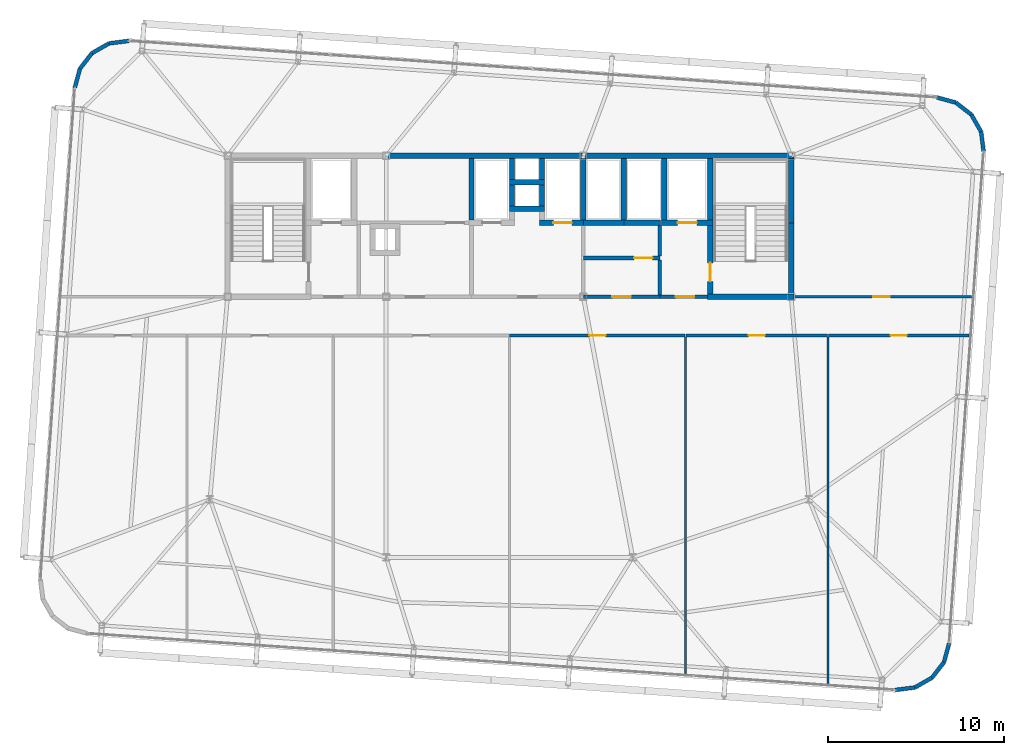
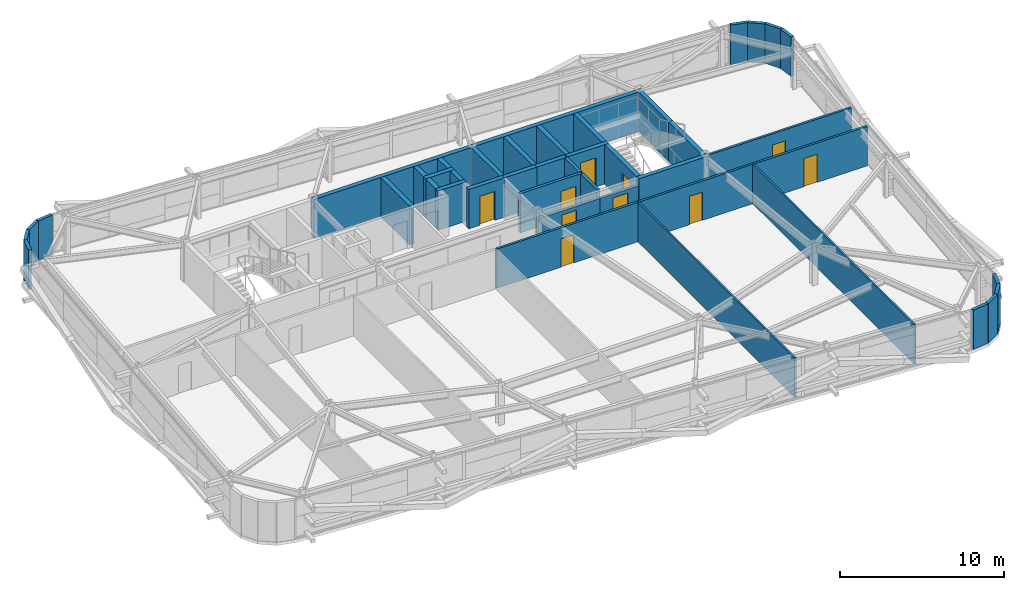
# One storey, part 36 of 39: 44 walls, 10 doors, 10 openings.
"""IFC4 building model written with IfcOpenShell, lengths in metres."""

from ifc_helpers import new_model, si_unit, direction, frame, frame_2d, origin, place, context, subcontext, project, spatial, rectangle, extrude, source, transform, mapped, material, layer, layer_set, type_object, element, fill, save


model = new_model("IFC4")

# Units and contexts
model_context = context("Model", 3, precision=1e-05, world=origin(), true_north=direction((0.0, 1.0)))
body_context = subcontext(model_context, "Body", "Model", "MODEL_VIEW")
ifc_project = project(units=[si_unit("LENGTHUNIT", "METRE"), si_unit("AREAUNIT", "SQUARE_METRE"), si_unit("VOLUMEUNIT", "CUBIC_METRE"), si_unit("PLANEANGLEUNIT", "RADIAN"), si_unit("MASSUNIT", "GRAM", prefix="KILO")], contexts=[model_context])

# Site, building, storey
site_placement = place(None, origin())
site = spatial("IfcSite", under=ifc_project, at=site_placement, CompositionType="ELEMENT")
building_placement = place(site_placement, origin())
building = spatial("IfcBuilding", under=site, at=building_placement, Name="Taldren Reach Tower", CompositionType="ELEMENT")
storey_placement = place(building_placement, frame((0.0, 0.0, 148.75)))
storey = spatial("IfcBuildingStorey", under=building, at=storey_placement, Name="L45", CompositionType="ELEMENT", Elevation=148.75)

# Walls
ifc_material_1 = material(Name="Pale Champagne Anodised Aluminium Cladding", Category="aluminium")
ifc_layer_1 = layer(ifc_material_1, 0.04, Name="Pale Champagne Anodised Aluminium Cladding", Category="aluminium")
ifc_material_2 = material(Name="Mineral Wool Acoustic Insulation", Category="insulation")
ifc_layer_2 = layer(ifc_material_2, 0.06, Name="Mineral Wool Acoustic Insulation", Category="insulation")
ifc_material_3 = material(Name="Steel Gr 350 (C350L0)", Category="steel")
ifc_layer_3 = layer(ifc_material_3, 0.12, Name="Steel Gr 350 (C350L0)", Category="steel")
ifc_layer_set_1 = layer_set([ifc_layer_1, ifc_layer_2, ifc_layer_3], Name="Pale Champagne Aluminium Cladding and Steel Gr 350 Stud Framing")
wall_type_1 = type_object("IfcWallType", Name="EW-CRN-220", PredefinedType="SOLIDWALL", material=ifc_layer_set_1)
shared_shape_1 = source(origin(), body_context, "Body", "SweptSolid", [
    extrude(rectangle(XDim=1.115966796875, YDim=0.219970703125, at=frame_2d((0.55810546875, 0.0))), origin(), (0.0, 0.0, 1.0), 2.929931640625),
])
for number, where, z_axis, x_axis, name in (
    (1, (58.02490234375, 1.8173828125, 0.0), (0.0, 0.0, 1.0), (0.868095010314, 0.496398079235, 0.0), "Rounded-corner pale-metal facade wall L45-SE2"),
    (2, (58.99365234375, 2.371337890625, 0.0), (0.0, 0.0, 1.0), (0.612318787668, 0.790610967714, 0.0), "Rounded-corner pale-metal facade wall L45-SE3"),
    (3, (59.677001953125, 3.253662109375, 0.0), (0.0, 0.0, 1.0), (0.262969307856, 0.964804199372, 0.0), "Rounded-corner pale-metal facade wall L45-SE4"),
    (4, (61.923583984375, 32.261962890625, 0.0), (0.0, 0.0, 1.0), (-0.126242535829, 0.991999406324, 0.0), "Rounded-corner pale-metal facade wall L45-NE1"),
    (5, (61.78271484375, 33.368896484375, 0.0), (0.0, 0.0, 1.0), (-0.496138938357, 0.868243142124, 0.0), "Rounded-corner pale-metal facade wall L45-NE2"),
    (6, (61.22900390625, 34.337890625, 0.0), (0.0, 0.0, 1.0), (-0.790716874741, 0.612182018684, 0.0), "Rounded-corner pale-metal facade wall L45-NE3"),
    (7, (60.3466796875, 35.02099609375, 0.0), (0.0, 0.0, 1.0), (-0.964804199372, 0.262969307856, 0.0), "Rounded-corner pale-metal facade wall L45-NE4"),
    (8, (13.382080078125, 38.5234375, 0.0), (0.0, 0.0, 1.0), (-0.991999406324, -0.126242535829, 0.0), "Rounded-corner pale-metal facade wall L45-NW1"),
    (9, (11.306396484375, 37.828857421875, 0.0), (0.0, 0.0, 1.0), (-0.612318787668, -0.790610967714, 0.0), "Rounded-corner pale-metal facade wall L45-NW3"),
    (10, (10.623046875, 36.946533203125, 0.0), (0.0, 0.0, 1.0), (-0.262969307856, -0.964804199372, 0.0), "Rounded-corner pale-metal facade wall L45-NW4"),
):
    element("IfcWall", number, at=place(storey_placement, frame(where, z_axis=z_axis, x_axis=x_axis)), inside=storey, type_object=wall_type_1, Name=name, PredefinedType="SOLIDWALL", context=body_context, shape_type="MappedRepresentation", body=[
        mapped(shared_shape_1, transform((0.0, 0.0, 0.0), scale=1.0)),
    ])
shared_shape_2 = source(origin(), body_context, "Body", "SweptSolid", [
    extrude(rectangle(XDim=1.11572265625, YDim=0.219970703125, at=frame_2d((0.557861328125, 0.0))), origin(), (0.0, 0.0, 1.0), 2.929931640625),
])
for number, where, z_axis, x_axis, name in (
    (11, (56.91796875, 1.6767578125, 0.0), (0.0, 0.0, 1.0), (0.99202678349, 0.126027222605, 0.0), "Rounded-corner pale-metal facade wall L45-SE1"),
    (12, (12.275146484375, 38.382568359375, 0.0), (0.0, 0.0, 1.0), (-0.868189279113, -0.496233186751, 0.0), "Rounded-corner pale-metal facade wall L45-NW2"),
):
    element("IfcWall", number, at=place(storey_placement, frame(where, z_axis=z_axis, x_axis=x_axis)), inside=storey, type_object=wall_type_1, Name=name, PredefinedType="SOLIDWALL", context=body_context, shape_type="MappedRepresentation", body=[
        mapped(shared_shape_2, transform((0.0, 0.0, 0.0), scale=1.0)),
    ])

# Wall, opening, door
ifc_material_4 = material(Name="Concrete S50 (50 MPa)", Category="concrete")
ifc_layer_4 = layer(ifc_material_4, 0.199951171875)
ifc_layer_set_2 = layer_set([ifc_layer_4], Name="Concrete S50 (50 MPa)")
wall_type_2 = type_object("IfcWallType", Name="IW-CORE-200", PredefinedType="SOLIDWALL", material=ifc_layer_set_2)
shared_shape_3 = source(origin(), body_context, "Body", "SweptSolid", [
    extrude(rectangle(XDim=4.35009765625, YDim=0.199951171875, at=frame_2d((2.175048828125, 0.0))), origin(), (0.0, 0.0, 1.0), 2.39697265625),
])
wall_1_placement = place(storey_placement, frame((43.550048828125, 24.0, 0.0), z_axis=(0.0, 0.0, 1.0), x_axis=(-1.0, 0.0, 0.0)))
wall_1 = element("IfcWall", 13, at=wall_1_placement, inside=storey, type_object=wall_type_2, Name="Rear Core Shear Wall W-INT-L45-042", PredefinedType="SOLIDWALL", context=body_context, shape_type="MappedRepresentation", body=[
    mapped(shared_shape_3, transform((0.0, 0.0, 0.0), scale=1.0)),
])
shared_shape_4 = source(origin(), body_context, "Body", "SweptSolid", [
    extrude(rectangle(XDim=1.050048828125, YDim=2.10009765625, at=frame_2d((0.52490234375, 1.050048828125))), frame((0.0, 0.10986328125, 0.0), z_axis=(0.0, -1.0, 0.0), x_axis=(1.0, 0.0, 0.0)), (0.0, 0.0, 1.0), 0.219970703125),
])
opening_1_placement = place(wall_1_placement, frame((1.64990234375, 0.0, 0.0)))
opening_1 = element("IfcOpeningElement", 14, at=opening_1_placement, cuts=wall_1, Name="Opening DF-105", PredefinedType="OPENING", context=body_context, shape_type="MappedRepresentation", body=[
    mapped(shared_shape_4, transform((0.0, 0.0, 0.0), scale=1.0)),
])
ifc_material_5 = material(Name="Fire-Rated Care and Stair Exit Door")
door_type_1 = type_object("IfcDoorType", Name="ID-FIRE-105", OperationType="NOTDEFINED", PredefinedType="DOOR", material=ifc_material_5)
shared_shape_5 = source(origin(), body_context, "Body", "SweptSolid", [
    extrude(rectangle(XDim=1.050048828125, YDim=2.10009765625, at=frame_2d((0.52490234375, 1.050048828125))), frame((0.0, 0.02490234375, 0.0), z_axis=(0.0, -1.0, 0.0), x_axis=(1.0, 0.0, 0.0)), (0.0, 0.0, 1.0), 0.050048828125),
])
door_1_placement = place(opening_1_placement, frame((1.050048828125, 0.0, 0.0), z_axis=(0.0, 0.0, 1.0), x_axis=(-1.0, 0.0, 0.0)))
door_1 = element("IfcDoor", 15, at=door_1_placement, inside=storey, type_object=door_type_1, Name="Interior Door DR-L45-009", OperationType="SINGLE_SWING_LEFT", OverallHeight=2.10009765625, OverallWidth=1.050048828125, PredefinedType="DOOR", context=body_context, shape_type="MappedRepresentation", body=[
    mapped(shared_shape_5, transform((0.0, 0.0, 0.0), scale=1.0)),
])
fill(opening_1, door_1)

# Walls
ifc_material_6 = material(Name="Concrete S65 (65 MPa)", Category="concrete")
ifc_layer_5 = layer(ifc_material_6, 0.300048828125)
ifc_layer_set_3 = layer_set([ifc_layer_5], Name="Concrete S65 (65 MPa)")
wall_type_3 = type_object("IfcWallType", Name="IW-CORE-300", PredefinedType="SHEAR", material=ifc_layer_set_3)
shared_shape_6 = source(origin(), body_context, "Body", "SweptSolid", [
    extrude(rectangle(XDim=11.199951171875, YDim=0.300048828125, at=frame_2d((5.60009765625, 0.0))), origin(), (0.0, 0.0, 1.0), 2.929931640625),
])
wall_2_placement = place(storey_placement, frame((28.0, 32.0, 0.0), z_axis=(0.0, 0.0, 1.0), x_axis=(1.0, 0.0, 0.0)))
element("IfcWall", 16, at=wall_2_placement, inside=storey, type_object=wall_type_3, Name="Rear Core Shear Wall W-CORE-L45-NORTH2", PredefinedType="SHEAR", context=body_context, shape_type="MappedRepresentation", body=[
    mapped(shared_shape_6, transform((0.0, 0.0, 0.0), scale=1.0)),
])
shared_shape_7 = source(origin(), body_context, "Body", "SweptSolid", [
    extrude(rectangle(XDim=11.949951171875, YDim=0.300048828125, at=frame_2d((5.97509765625, 0.0))), origin(), (0.0, 0.0, 1.0), 2.929931640625),
])
wall_3_placement = place(storey_placement, frame((39.199951171875, 32.0, 0.0), z_axis=(0.0, 0.0, 1.0), x_axis=(1.0, 0.0, 0.0)))
element("IfcWall", 17, at=wall_3_placement, inside=storey, type_object=wall_type_3, Name="Rear Core Shear Wall W-CORE-L45-NORTH3", PredefinedType="SHEAR", context=body_context, shape_type="MappedRepresentation", body=[
    mapped(shared_shape_7, transform((0.0, 0.0, 0.0), scale=1.0)),
])
shared_shape_8 = source(origin(), body_context, "Body", "SweptSolid", [
    extrude(rectangle(XDim=4.050048828125, YDim=0.300048828125, at=frame_2d((2.02490234375, 0.0))), origin(), (0.0, 0.0, 1.0), 2.929931640625),
])
wall_4_placement = place(storey_placement, frame((51.0, 24.14990234375, 0.0), z_axis=(0.0, 0.0, 1.0), x_axis=(0.0, 1.0, 0.0)))
element("IfcWall", 18, at=wall_4_placement, inside=storey, type_object=wall_type_3, Name="Rear Core Shear Wall W-CORE-L45-EAST1", PredefinedType="SHEAR", context=body_context, shape_type="MappedRepresentation", body=[
    mapped(shared_shape_8, transform((0.0, 0.0, 0.0), scale=1.0)),
])
shared_shape_9 = source(origin(), body_context, "Body", "SweptSolid", [
    extrude(rectangle(XDim=3.650146484375, YDim=0.300048828125, at=frame_2d((1.8251953125, 0.0))), origin(), (0.0, 0.0, 1.0), 2.929931640625),
])
wall_5_placement = place(storey_placement, frame((51.0, 28.199951171875, 0.0), z_axis=(0.0, 0.0, 1.0), x_axis=(0.0, 1.0, 0.0)))
element("IfcWall", 19, at=wall_5_placement, inside=storey, type_object=wall_type_3, Name="Rear Core Shear Wall W-CORE-L45-EAST2", PredefinedType="SHEAR", context=body_context, shape_type="MappedRepresentation", body=[
    mapped(shared_shape_9, transform((0.0, 0.0, 0.0), scale=1.0)),
])
shared_shape_10 = source(origin(), body_context, "Body", "SweptSolid", [
    extrude(rectangle(XDim=3.5, YDim=0.300048828125, at=frame_2d((1.75, 0.0))), origin(), (0.0, 0.0, 1.0), 2.929931640625),
])
for number, where, z_axis, x_axis, name in (
    (20, (46.39990234375, 31.85009765625, 0.0), (0.0, 0.0, 1.0), (0.0, -1.0, 0.0), "Rear Core Shear Wall W-INT-L45-008"),
    (21, (43.800048828125, 31.85009765625, 0.0), (0.0, 0.0, 1.0), (0.0, -1.0, 0.0), "Rear Core Shear Wall W-INT-L45-012"),
    (22, (32.85009765625, 31.85009765625, 0.0), (0.0, 0.0, 1.0), (0.0, -1.0, 0.0), "Rear Core Shear Wall W-INT-L45-028"),
    (23, (39.199951171875, 28.35009765625, 0.0), (0.0, 0.0, 1.0), (0.0, 1.0, 0.0), "Rear Core Shear Wall W-INT-L45-031"),
    (24, (41.5, 28.35009765625, 0.0), (0.0, 0.0, 1.0), (0.0, 1.0, 0.0), "Rear Core Shear Wall W-INT-L45-036"),
):
    element("IfcWall", number, at=place(storey_placement, frame(where, z_axis=z_axis, x_axis=x_axis)), inside=storey, type_object=wall_type_3, Name=name, PredefinedType="SHEAR", context=body_context, shape_type="MappedRepresentation", body=[
        mapped(shared_shape_10, transform((0.0, 0.0, 0.0), scale=1.0)),
    ])

# Wall, opening, door
shared_shape_11 = source(origin(), body_context, "Body", "SweptSolid", [
    extrude(rectangle(XDim=3.900146484375, YDim=0.300048828125, at=frame_2d((1.9501953125, 0.0))), origin(), (0.0, 0.0, 1.0), 2.929931640625),
])
wall_6_placement = place(storey_placement, frame((46.39990234375, 28.050048828125, 0.0), z_axis=(0.0, 0.0, 1.0), x_axis=(0.0, -1.0, 0.0)))
wall_6 = element("IfcWall", 25, at=wall_6_placement, inside=storey, type_object=wall_type_3, Name="Rear Core Shear Wall W-INT-L45-009", PredefinedType="SHEAR", context=body_context, shape_type="MappedRepresentation", body=[
    mapped(shared_shape_11, transform((0.0, 0.0, 0.0), scale=1.0)),
])
shared_shape_12 = source(origin(), body_context, "Body", "SweptSolid", [
    extrude(rectangle(XDim=1.050048828125, YDim=2.10009765625, at=frame_2d((0.52490234375, 1.050048828125))), frame((0.0, 0.16015625, 0.0), z_axis=(0.0, -1.0, 0.0), x_axis=(1.0, 0.0, 0.0)), (0.0, 0.0, 1.0), 0.320068359375),
])
opening_2_placement = place(wall_6_placement, frame((2.125, 0.0, 0.0)))
opening_2 = element("IfcOpeningElement", 26, at=opening_2_placement, cuts=wall_6, Name="Opening DF-105", PredefinedType="OPENING", context=body_context, shape_type="MappedRepresentation", body=[
    mapped(shared_shape_12, transform((0.0, 0.0, 0.0), scale=1.0)),
])
door_2_placement = place(opening_2_placement, origin())
door_2 = element("IfcDoor", 27, at=door_2_placement, inside=storey, type_object=door_type_1, Name="Fire Exit Stair Door DR-L45-003", OperationType="SINGLE_SWING_RIGHT", OverallHeight=2.10009765625, OverallWidth=1.050048828125, PredefinedType="DOOR", context=body_context, shape_type="MappedRepresentation", body=[
    mapped(shared_shape_5, transform((0.0, 0.0, 0.0), scale=1.0)),
])
fill(opening_2, door_2)

# Wall
shared_shape_13 = source(origin(), body_context, "Body", "SweptSolid", [
    extrude(rectangle(XDim=4.89990234375, YDim=0.300048828125, at=frame_2d((2.449951171875, 0.0))), origin(), (0.0, 0.0, 1.0), 2.929931640625),
])
wall_7_placement = place(storey_placement, frame((46.25, 24.0, 0.0), z_axis=(0.0, 0.0, 1.0), x_axis=(1.0, 0.0, 0.0)))
element("IfcWall", 28, at=wall_7_placement, inside=storey, type_object=wall_type_3, Name="Rear Core Shear Wall W-INT-L45-010", PredefinedType="SHEAR", context=body_context, shape_type="MappedRepresentation", body=[
    mapped(shared_shape_13, transform((0.0, 0.0, 0.0), scale=1.0)),
])

# Wall, opening, door
shared_shape_14 = source(origin(), body_context, "Body", "SweptSolid", [
    extrude(rectangle(XDim=2.900146484375, YDim=0.300048828125, at=frame_2d((1.4501953125, 0.0))), origin(), (0.0, 0.0, 1.0), 2.929931640625),
])
wall_8_placement = place(storey_placement, frame((43.64990234375, 28.199951171875, 0.0), z_axis=(0.0, 0.0, 1.0), x_axis=(1.0, 0.0, 0.0)))
wall_8 = element("IfcWall", 29, at=wall_8_placement, inside=storey, type_object=wall_type_3, Name="Rear Core Shear Wall W-INT-L45-011", PredefinedType="SHEAR", context=body_context, shape_type="MappedRepresentation", body=[
    mapped(shared_shape_14, transform((0.0, 0.0, 0.0), scale=1.0)),
])
shared_shape_15 = source(origin(), body_context, "Body", "SweptSolid", [
    extrude(rectangle(XDim=1.10009765625, YDim=2.14990234375, at=frame_2d((0.550048828125, 1.074951171875))), frame((0.0, 0.16015625, 0.0), z_axis=(0.0, -1.0, 0.0), x_axis=(1.0, 0.0, 0.0)), (0.0, 0.0, 1.0), 0.320068359375),
])
opening_3_placement = place(wall_8_placement, frame((0.89990234375, 0.0, 0.0)))
opening_3 = element("IfcOpeningElement", 30, at=opening_3_placement, cuts=wall_8, Name="Opening LD-FL2", PredefinedType="OPENING", context=body_context, shape_type="MappedRepresentation", body=[
    mapped(shared_shape_15, transform((0.0, 0.0, 0.0), scale=1.0)),
])
ifc_material_7 = material(Name="Stainless Steel Gr 316 Emergency Lift Landing Door", Category="steel")
door_type_2 = type_object("IfcDoorType", Name="LD-EMG-110", OperationType="SLIDING_TO_LEFT", PredefinedType="DOOR", material=ifc_material_7)
shared_shape_16 = source(origin(), body_context, "Body", "SweptSolid", [
    extrude(rectangle(XDim=1.10009765625, YDim=2.14990234375, at=frame_2d((0.550048828125, 1.074951171875))), frame((0.0, 0.02490234375, 0.0), z_axis=(0.0, -1.0, 0.0), x_axis=(1.0, 0.0, 0.0)), (0.0, 0.0, 1.0), 0.050048828125),
])
door_3_placement = place(opening_3_placement, origin())
door_3 = element("IfcDoor", 31, at=door_3_placement, inside=storey, type_object=door_type_2, Name="Lift Landing Door LD-FL2-L45", OperationType="SLIDING_TO_LEFT", OverallHeight=2.14990234375, OverallWidth=1.10009765625, PredefinedType="DOOR", context=body_context, shape_type="MappedRepresentation", body=[
    mapped(shared_shape_16, transform((0.0, 0.0, 0.0), scale=1.0)),
])
fill(opening_3, door_3)

shared_shape_17 = source(origin(), body_context, "Body", "SweptSolid", [
    extrude(rectangle(XDim=2.699951171875, YDim=0.199951171875, at=frame_2d((1.35009765625, 0.0))), origin(), (0.0, 0.0, 1.0), 2.39697265625),
])
wall_9_placement = place(storey_placement, frame((43.550048828125, 24.0, 0.0), z_axis=(0.0, 0.0, 1.0), x_axis=(1.0, 0.0, 0.0)))
wall_9 = element("IfcWall", 32, at=wall_9_placement, inside=storey, type_object=wall_type_2, Name="Rear Core Shear Wall W-INT-L45-015", PredefinedType="SOLIDWALL", context=body_context, shape_type="MappedRepresentation", body=[
    mapped(shared_shape_17, transform((0.0, 0.0, 0.0), scale=1.0)),
])
opening_4_placement = place(wall_9_placement, frame((0.89990234375, 0.0, 0.0)))
opening_4 = element("IfcOpeningElement", 33, at=opening_4_placement, cuts=wall_9, Name="Opening DF-105", PredefinedType="OPENING", context=body_context, shape_type="MappedRepresentation", body=[
    mapped(shared_shape_4, transform((0.0, 0.0, 0.0), scale=1.0)),
])
door_4_placement = place(opening_4_placement, origin())
door_4 = element("IfcDoor", 34, at=door_4_placement, inside=storey, type_object=door_type_1, Name="Interior Door DR-L45-004", OperationType="SINGLE_SWING_LEFT", OverallHeight=2.10009765625, OverallWidth=1.050048828125, PredefinedType="DOOR", context=body_context, shape_type="MappedRepresentation", body=[
    mapped(shared_shape_5, transform((0.0, 0.0, 0.0), scale=1.0)),
])
fill(opening_4, door_4)

# Walls
shared_shape_18 = source(origin(), body_context, "Body", "SweptSolid", [
    extrude(rectangle(XDim=2.0, YDim=0.300048828125, at=frame_2d((1.0, 0.0))), origin(), (0.0, 0.0, 1.0), 2.929931640625),
])
for number, where, z_axis, x_axis, name in (
    (35, (35.0, 30.5, 0.0), (0.0, 0.0, 1.0), (1.0, 0.0, 0.0), "Rear Core Shear Wall W-INT-L45-016"),
    (36, (35.0, 29.0, 0.0), (0.0, 0.0, 1.0), (1.0, 0.0, 0.0), "Rear Core Shear Wall W-INT-L45-021"),
):
    element("IfcWall", number, at=place(storey_placement, frame(where, z_axis=z_axis, x_axis=x_axis)), inside=storey, type_object=wall_type_3, Name=name, PredefinedType="SHEAR", context=body_context, shape_type="MappedRepresentation", body=[
        mapped(shared_shape_18, transform((0.0, 0.0, 0.0), scale=1.0)),
    ])
shared_shape_19 = source(origin(), body_context, "Body", "SweptSolid", [
    extrude(rectangle(XDim=1.2001953125, YDim=0.300048828125, at=frame_2d((0.60009765625, 0.0))), origin(), (0.0, 0.0, 1.0), 2.929931640625),
])
for number, where, z_axis, x_axis, name in (
    (37, (35.14990234375, 31.85009765625, 0.0), (0.0, 0.0, 1.0), (0.0, -1.0, 0.0), "Rear Core Shear Wall W-INT-L45-017"),
    (38, (36.85009765625, 30.64990234375, 0.0), (0.0, 0.0, 1.0), (0.0, 1.0, 0.0), "Rear Core Shear Wall W-INT-L45-018"),
    (39, (35.14990234375, 30.35009765625, 0.0), (0.0, 0.0, 1.0), (0.0, -1.0, 0.0), "Rear Core Shear Wall W-INT-L45-019"),
    (40, (36.85009765625, 29.14990234375, 0.0), (0.0, 0.0, 1.0), (0.0, 1.0, 0.0), "Rear Core Shear Wall W-INT-L45-020"),
):
    element("IfcWall", number, at=place(storey_placement, frame(where, z_axis=z_axis, x_axis=x_axis)), inside=storey, type_object=wall_type_3, Name=name, PredefinedType="SHEAR", context=body_context, shape_type="MappedRepresentation", body=[
        mapped(shared_shape_19, transform((0.0, 0.0, 0.0), scale=1.0)),
    ])
shared_shape_20 = source(origin(), body_context, "Body", "SweptSolid", [
    extrude(rectangle(XDim=2.070068359375, YDim=0.300048828125, at=frame_2d((1.03515625, 0.0))), origin(), (0.0, 0.0, 1.0), 2.929931640625),
])
wall_10_placement = place(storey_placement, frame((41.5, 28.199951171875, 0.0), z_axis=(0.0, 0.0, 1.0), x_axis=(1.0, 0.0, 0.0)))
element("IfcWall", 41, at=wall_10_placement, inside=storey, type_object=wall_type_3, Name="Rear Core Shear Wall W-INT-L45-038", PredefinedType="SHEAR", context=body_context, shape_type="MappedRepresentation", body=[
    mapped(shared_shape_20, transform((0.0, 0.0, 0.0), scale=1.0)),
])

# Wall, opening, door
shared_shape_21 = source(origin(), body_context, "Body", "SweptSolid", [
    extrude(rectangle(XDim=2.5, YDim=0.300048828125, at=frame_2d((1.25, 0.0))), origin(), (0.0, 0.0, 1.0), 2.929931640625),
])
wall_11_placement = place(storey_placement, frame((36.699951171875, 28.199951171875, 0.0), z_axis=(0.0, 0.0, 1.0), x_axis=(1.0, 0.0, 0.0)))
wall_11 = element("IfcWall", 42, at=wall_11_placement, inside=storey, type_object=wall_type_3, Name="Rear Core Shear Wall W-INT-L45-029", PredefinedType="SHEAR", context=body_context, shape_type="MappedRepresentation", body=[
    mapped(shared_shape_21, transform((0.0, 0.0, 0.0), scale=1.0)),
])
shared_shape_22 = source(origin(), body_context, "Body", "SweptSolid", [
    extrude(rectangle(XDim=1.050048828125, YDim=2.14990234375, at=frame_2d((0.52490234375, 1.074951171875))), frame((0.0, 0.16015625, 0.0), z_axis=(0.0, -1.0, 0.0), x_axis=(1.0, 0.0, 0.0)), (0.0, 0.0, 1.0), 0.320068359375),
])
opening_5_placement = place(wall_11_placement, frame((0.794921875, 0.0, 0.0)))
opening_5 = element("IfcOpeningElement", 43, at=opening_5_placement, cuts=wall_11, Name="Opening LD-PM2", PredefinedType="OPENING", context=body_context, shape_type="MappedRepresentation", body=[
    mapped(shared_shape_22, transform((0.0, 0.0, 0.0), scale=1.0)),
])
ifc_material_8 = material(Name="Stainless Steel Gr 316 Passenger Lift Landing Door", Category="steel")
door_type_3 = type_object("IfcDoorType", Name="LD-PAS-105", OperationType="SLIDING_TO_LEFT", PredefinedType="DOOR", material=ifc_material_8)
shared_shape_23 = source(origin(), body_context, "Body", "SweptSolid", [
    extrude(rectangle(XDim=1.050048828125, YDim=2.14990234375, at=frame_2d((0.52490234375, 1.074951171875))), frame((0.0, 0.02490234375, 0.0), z_axis=(0.0, -1.0, 0.0), x_axis=(1.0, 0.0, 0.0)), (0.0, 0.0, 1.0), 0.050048828125),
])
door_5_placement = place(opening_5_placement, origin())
door_5 = element("IfcDoor", 44, at=door_5_placement, inside=storey, type_object=door_type_3, Name="Lift Landing Door LD-PM2-L45", OperationType="SLIDING_TO_LEFT", OverallHeight=2.14990234375, OverallWidth=1.050048828125, PredefinedType="DOOR", context=body_context, shape_type="MappedRepresentation", body=[
    mapped(shared_shape_23, transform((0.0, 0.0, 0.0), scale=1.0)),
])
fill(opening_5, door_5)

# Wall
shared_shape_24 = source(origin(), body_context, "Body", "SweptSolid", [
    extrude(rectangle(XDim=2.300048828125, YDim=0.300048828125, at=frame_2d((1.14990234375, 0.0))), origin(), (0.0, 0.0, 1.0), 2.929931640625),
])
wall_12_placement = place(storey_placement, frame((39.199951171875, 28.199951171875, 0.0), z_axis=(0.0, 0.0, 1.0), x_axis=(1.0, 0.0, 0.0)))
element("IfcWall", 45, at=wall_12_placement, inside=storey, type_object=wall_type_3, Name="Rear Core Shear Wall W-INT-L45-037", PredefinedType="SHEAR", context=body_context, shape_type="MappedRepresentation", body=[
    mapped(shared_shape_24, transform((0.0, 0.0, 0.0), scale=1.0)),
])

# Wall, opening, door
ifc_material_9 = material(Name="Fire-Rated Acoustic Plasterboard Stud Wall", Category="gypsum")
ifc_layer_6 = layer(ifc_material_9, 0.159912109375)
ifc_layer_set_4 = layer_set([ifc_layer_6], Name="Fire-Rated Acoustic Plasterboard Stud Wall")
wall_type_4 = type_object("IfcWallType", Name="IW-FIRE-160", PredefinedType="PARTITIONING", material=ifc_layer_set_4)
shared_shape_25 = source(origin(), body_context, "Body", "SweptSolid", [
    extrude(rectangle(XDim=10.10009765625, YDim=0.159912109375, at=frame_2d((5.050048828125, 0.0))), origin(), (0.0, 0.0, 1.0), 2.929931640625),
])
wall_13_placement = place(storey_placement, frame((51.14990234375, 24.0, 0.0), z_axis=(0.0, 0.0, 1.0), x_axis=(1.0, 0.0, 0.0)))
wall_13 = element("IfcWall", 46, at=wall_13_placement, inside=storey, type_object=wall_type_4, Name="Interior Partition Wall W-INT-L45-049", PredefinedType="PARTITIONING", context=body_context, shape_type="MappedRepresentation", body=[
    mapped(shared_shape_25, transform((0.0, 0.0, 0.0), scale=1.0)),
])
shared_shape_26 = source(origin(), body_context, "Body", "SweptSolid", [
    extrude(rectangle(XDim=0.919921875, YDim=2.10009765625, at=frame_2d((0.4599609375, 1.050048828125))), frame((0.0, 0.08984375, 0.0), z_axis=(0.0, -1.0, 0.0), x_axis=(1.0, 0.0, 0.0)), (0.0, 0.0, 1.0), 0.179931640625),
])
opening_6_placement = place(wall_13_placement, frame((4.525146484375, 0.0, 0.0)))
opening_6 = element("IfcOpeningElement", 47, at=opening_6_placement, cuts=wall_13, Name="Opening DI-092", PredefinedType="OPENING", context=body_context, shape_type="MappedRepresentation", body=[
    mapped(shared_shape_26, transform((0.0, 0.0, 0.0), scale=1.0)),
])
ifc_material_10 = material(Name="Solid-Core Timber Suite Door", Category="wood")
door_type_4 = type_object("IfcDoorType", Name="ID-INT-092", OperationType="NOTDEFINED", PredefinedType="DOOR", material=ifc_material_10)
shared_shape_27 = source(origin(), body_context, "Body", "SweptSolid", [
    extrude(rectangle(XDim=0.919921875, YDim=2.10009765625, at=frame_2d((0.4599609375, 1.050048828125))), frame((0.0, 0.02490234375, 0.0), z_axis=(0.0, -1.0, 0.0), x_axis=(1.0, 0.0, 0.0)), (0.0, 0.0, 1.0), 0.050048828125),
])
door_6_placement = place(opening_6_placement, origin())
door_6 = element("IfcDoor", 48, at=door_6_placement, inside=storey, type_object=door_type_4, Name="Interior Door DR-L45-016", OperationType="SINGLE_SWING_LEFT", OverallHeight=2.10009765625, OverallWidth=0.919921875, PredefinedType="DOOR", context=body_context, shape_type="MappedRepresentation", body=[
    mapped(shared_shape_27, transform((0.0, 0.0, 0.0), scale=1.0)),
])
fill(opening_6, door_6)

# Walls
shared_shape_28 = source(origin(), body_context, "Body", "SweptSolid", [
    extrude(rectangle(XDim=2.0, YDim=0.199951171875, at=frame_2d((1.0, 0.0))), origin(), (0.0, 0.0, 1.0), 2.929931640625),
])
wall_14_placement = place(storey_placement, frame((43.550048828125, 26.10009765625, 0.0), z_axis=(0.0, 0.0, 1.0), x_axis=(0.0, -1.0, 0.0)))
element("IfcWall", 49, at=wall_14_placement, inside=storey, type_object=wall_type_2, Name="Rear Core Shear Wall W-INT-L45-013", PredefinedType="SOLIDWALL", context=body_context, shape_type="MappedRepresentation", body=[
    mapped(shared_shape_28, transform((0.0, 0.0, 0.0), scale=1.0)),
])
shared_shape_29 = source(origin(), body_context, "Body", "SweptSolid", [
    extrude(rectangle(XDim=1.75, YDim=0.199951171875, at=frame_2d((0.875, 0.0))), origin(), (0.0, 0.0, 1.0), 2.929931640625),
])
wall_15_placement = place(storey_placement, frame((43.550048828125, 28.050048828125, 0.0), z_axis=(0.0, 0.0, 1.0), x_axis=(0.0, -1.0, 0.0)))
element("IfcWall", 50, at=wall_15_placement, inside=storey, type_object=wall_type_2, Name="Rear Core Shear Wall W-INT-L45-014", PredefinedType="SOLIDWALL", context=body_context, shape_type="MappedRepresentation", body=[
    mapped(shared_shape_29, transform((0.0, 0.0, 0.0), scale=1.0)),
])

# Wall, opening, door
shared_shape_30 = source(origin(), body_context, "Body", "SweptSolid", [
    extrude(rectangle(XDim=4.35009765625, YDim=0.199951171875, at=frame_2d((2.175048828125, 0.0))), origin(), (0.0, 0.0, 1.0), 2.929931640625),
])
wall_16_placement = place(storey_placement, frame((39.199951171875, 26.199951171875, 0.0), z_axis=(0.0, 0.0, 1.0), x_axis=(1.0, 0.0, 0.0)))
wall_16 = element("IfcWall", 51, at=wall_16_placement, inside=storey, type_object=wall_type_2, Name="Rear Core Shear Wall W-INT-L45-041", PredefinedType="SOLIDWALL", context=body_context, shape_type="MappedRepresentation", body=[
    mapped(shared_shape_30, transform((0.0, 0.0, 0.0), scale=1.0)),
])
opening_7_placement = place(wall_16_placement, frame((2.8798828125, 0.0, 0.0)))
opening_7 = element("IfcOpeningElement", 52, at=opening_7_placement, cuts=wall_16, Name="Opening DF-105", PredefinedType="OPENING", context=body_context, shape_type="MappedRepresentation", body=[
    mapped(shared_shape_4, transform((0.0, 0.0, 0.0), scale=1.0)),
])
door_7_placement = place(opening_7_placement, origin())
door_7 = element("IfcDoor", 53, at=door_7_placement, inside=storey, type_object=door_type_1, Name="Interior Door DR-L45-008", OperationType="SINGLE_SWING_RIGHT", OverallHeight=2.10009765625, OverallWidth=1.050048828125, PredefinedType="DOOR", context=body_context, shape_type="MappedRepresentation", body=[
    mapped(shared_shape_5, transform((0.0, 0.0, 0.0), scale=1.0)),
])
fill(opening_7, door_7)

shared_shape_31 = source(origin(), body_context, "Body", "SweptSolid", [
    extrude(rectangle(XDim=9.959228515625, YDim=0.159912109375, at=frame_2d((4.9794921875, 0.0))), origin(), (0.0, 0.0, 1.0), 2.929931640625),
])
wall_17_placement = place(storey_placement, frame((44.9794921875, 21.800048828125, 0.0), z_axis=(0.0, 0.0, 1.0), x_axis=(-1.0, 0.0, 0.0)))
wall_17 = element("IfcWall", 54, at=wall_17_placement, inside=storey, type_object=wall_type_4, Name="Interior Partition Wall W-INT-L45-046", PredefinedType="PARTITIONING", context=body_context, shape_type="MappedRepresentation", body=[
    mapped(shared_shape_31, transform((0.0, 0.0, 0.0), scale=1.0)),
])
opening_8_placement = place(wall_17_placement, frame((4.51953125, 0.0, 0.0)))
opening_8 = element("IfcOpeningElement", 55, at=opening_8_placement, cuts=wall_17, Name="Opening DI-092", PredefinedType="OPENING", context=body_context, shape_type="MappedRepresentation", body=[
    mapped(shared_shape_26, transform((0.0, 0.0, 0.0), scale=1.0)),
])
door_8_placement = place(opening_8_placement, origin())
door_8 = element("IfcDoor", 56, at=door_8_placement, inside=storey, type_object=door_type_4, Name="Interior Door DR-L45-013", OperationType="SINGLE_SWING_RIGHT", OverallHeight=2.10009765625, OverallWidth=0.919921875, PredefinedType="DOOR", context=body_context, shape_type="MappedRepresentation", body=[
    mapped(shared_shape_27, transform((0.0, 0.0, 0.0), scale=1.0)),
])
fill(opening_8, door_8)

shared_shape_32 = source(origin(), body_context, "Body", "SweptSolid", [
    extrude(rectangle(XDim=8.04736328125, YDim=0.159912109375, at=frame_2d((4.023681640625, 0.0))), origin(), (0.0, 0.0, 1.0), 2.929931640625),
])
wall_18_placement = place(storey_placement, frame((53.06787109375, 21.800048828125, 0.0), z_axis=(0.0, 0.0, 1.0), x_axis=(-1.0, 0.0, 0.0)))
wall_18 = element("IfcWall", 57, at=wall_18_placement, inside=storey, type_object=wall_type_4, Name="Interior Partition Wall W-INT-L45-047", PredefinedType="PARTITIONING", context=body_context, shape_type="MappedRepresentation", body=[
    mapped(shared_shape_32, transform((0.0, 0.0, 0.0), scale=1.0)),
])
opening_9_placement = place(wall_18_placement, frame((3.563720703125, 0.0, 0.0)))
opening_9 = element("IfcOpeningElement", 58, at=opening_9_placement, cuts=wall_18, Name="Opening DI-092", PredefinedType="OPENING", context=body_context, shape_type="MappedRepresentation", body=[
    mapped(shared_shape_26, transform((0.0, 0.0, 0.0), scale=1.0)),
])
door_9_placement = place(opening_9_placement, origin())
door_9 = element("IfcDoor", 59, at=door_9_placement, inside=storey, type_object=door_type_4, Name="Interior Door DR-L45-014", OperationType="SINGLE_SWING_LEFT", OverallHeight=2.10009765625, OverallWidth=0.919921875, PredefinedType="DOOR", context=body_context, shape_type="MappedRepresentation", body=[
    mapped(shared_shape_27, transform((0.0, 0.0, 0.0), scale=1.0)),
])
fill(opening_9, door_9)

shared_shape_33 = source(origin(), body_context, "Body", "SweptSolid", [
    extrude(rectangle(XDim=7.9990234375, YDim=0.159912109375, at=frame_2d((3.99951171875, 0.0))), origin(), (0.0, 0.0, 1.0), 2.929931640625),
])
wall_19_placement = place(storey_placement, frame((61.107421875, 21.800048828125, 0.0), z_axis=(0.0, 0.0, 1.0), x_axis=(-1.0, 0.0, 0.0)))
wall_19 = element("IfcWall", 60, at=wall_19_placement, inside=storey, type_object=wall_type_4, Name="Interior Partition Wall W-INT-L45-048", PredefinedType="PARTITIONING", context=body_context, shape_type="MappedRepresentation", body=[
    mapped(shared_shape_33, transform((0.0, 0.0, 0.0), scale=1.0)),
])
opening_10_placement = place(wall_19_placement, frame((3.53955078125, 0.0, 0.0)))
opening_10 = element("IfcOpeningElement", 61, at=opening_10_placement, cuts=wall_19, Name="Opening DI-092", PredefinedType="OPENING", context=body_context, shape_type="MappedRepresentation", body=[
    mapped(shared_shape_26, transform((0.0, 0.0, 0.0), scale=1.0)),
])
door_10_placement = place(opening_10_placement, origin())
door_10 = element("IfcDoor", 62, at=door_10_placement, inside=storey, type_object=door_type_4, Name="Interior Door DR-L45-015", OperationType="SINGLE_SWING_RIGHT", OverallHeight=2.10009765625, OverallWidth=0.919921875, PredefinedType="DOOR", context=body_context, shape_type="MappedRepresentation", body=[
    mapped(shared_shape_27, transform((0.0, 0.0, 0.0), scale=1.0)),
])
fill(opening_10, door_10)

# Walls
ifc_material_11 = material(Name="Insulated Residential Stud Partition", Category="gypsum")
ifc_layer_7 = layer(ifc_material_11, 0.1201171875)
ifc_layer_set_5 = layer_set([ifc_layer_7], Name="Insulated Residential Stud Partition")
wall_type_5 = type_object("IfcWallType", Name="IW-PART-120", PredefinedType="PARTITIONING", material=ifc_layer_set_5)
shared_shape_34 = source(origin(), body_context, "Body", "SweptSolid", [
    extrude(rectangle(XDim=19.108154296875, YDim=0.1201171875, at=frame_2d((9.55419921875, 0.0))), origin(), (0.0, 0.0, 1.0), 2.929931640625),
])
wall_20_placement = place(storey_placement, frame((45.0, 21.717041015625, 0.0), z_axis=(0.0, 0.0, 1.0), x_axis=(0.0, -1.0, 0.0)))
element("IfcWall", 63, at=wall_20_placement, inside=storey, type_object=wall_type_5, Name="Interior Partition Wall W-INT-L45-054", PredefinedType="PARTITIONING", context=body_context, shape_type="MappedRepresentation", body=[
    mapped(shared_shape_34, transform((0.0, 0.0, 0.0), scale=1.0)),
])
shared_shape_35 = source(origin(), body_context, "Body", "SweptSolid", [
    extrude(rectangle(XDim=19.67578125, YDim=0.1201171875, at=frame_2d((9.837890625, 0.0))), origin(), (0.0, 0.0, 1.0), 2.929931640625),
])
wall_21_placement = place(storey_placement, frame((53.088134765625, 21.718017578125, 0.0), z_axis=(0.0, 0.0, 1.0), x_axis=(0.0, -1.0, 0.0)))
element("IfcWall", 64, at=wall_21_placement, inside=storey, type_object=wall_type_5, Name="Interior Partition Wall W-INT-L45-055", PredefinedType="PARTITIONING", context=body_context, shape_type="MappedRepresentation", body=[
    mapped(shared_shape_35, transform((0.0, 0.0, 0.0), scale=1.0)),
])

save(model, "model.ifc")
